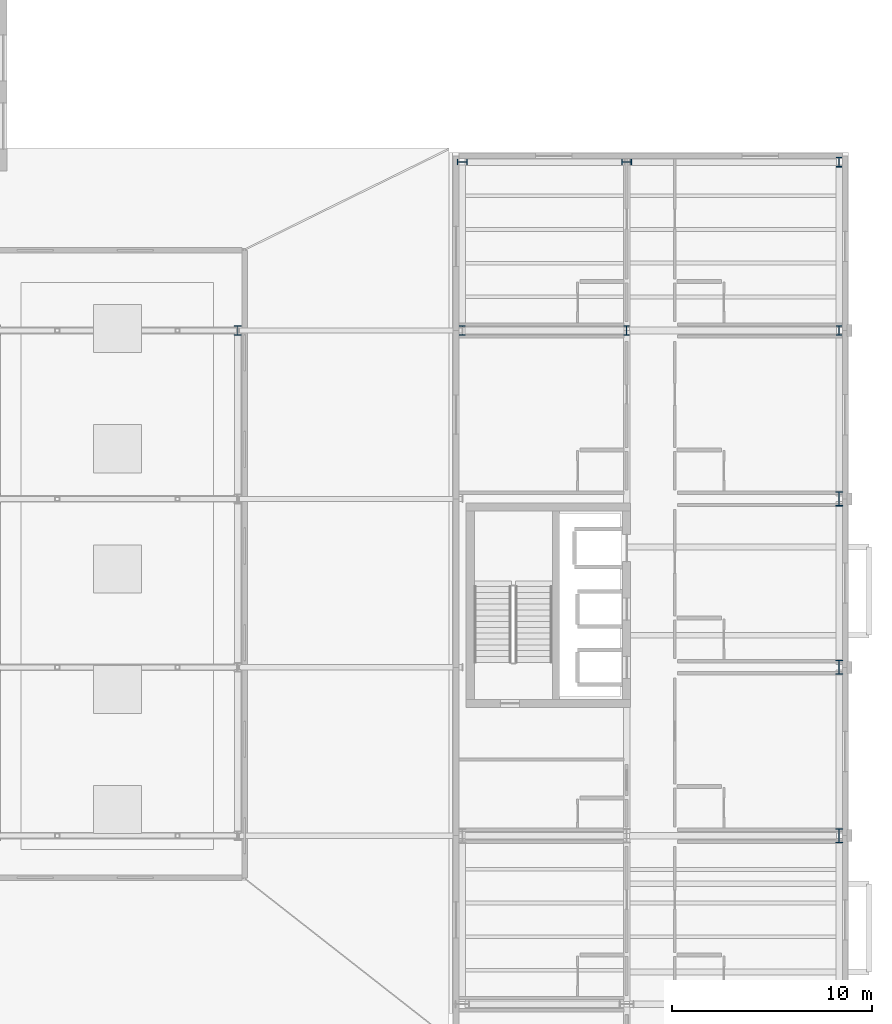
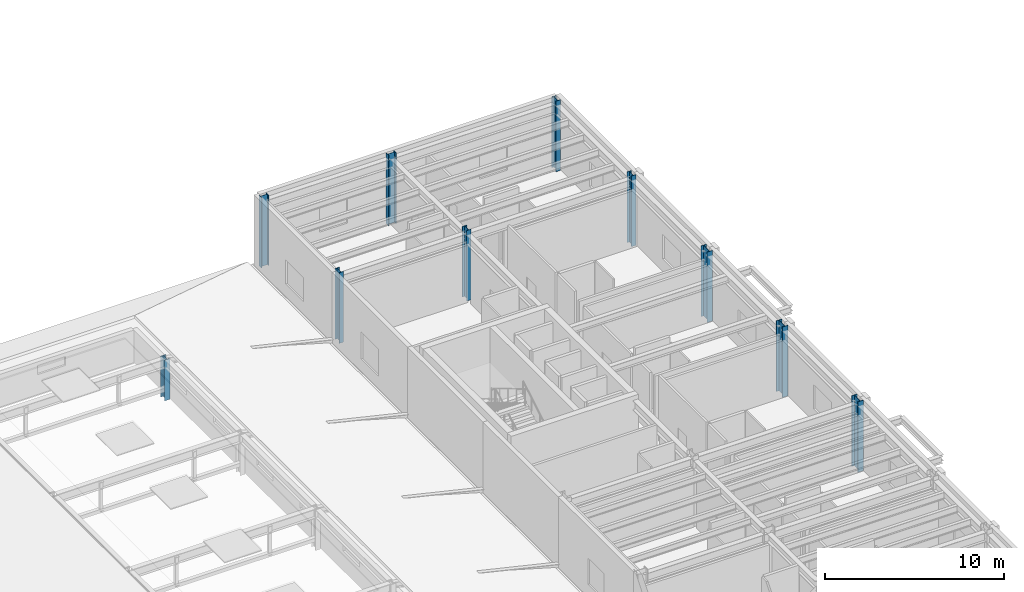
# One storey, part 15 of 91: 10 columns.
"""IFC4 building model written with IfcOpenShell, lengths in metres."""

from ifc_helpers import new_model, si_unit, direction, frame, origin, origin_2d, place, context, subcontext, project, spatial, i_section, extrude, material, material_profile, profile_set, type_object, element, save


model = new_model("IFC4")

# Units and contexts
model_context = context("Model", 3, precision=1e-05, world=origin(), true_north=direction((0.0, 1.0)))
body_context = subcontext(model_context, "Body", "Model", "MODEL_VIEW")
ifc_project = project(units=[si_unit("LENGTHUNIT", "METRE"), si_unit("AREAUNIT", "SQUARE_METRE"), si_unit("VOLUMEUNIT", "CUBIC_METRE"), si_unit("PLANEANGLEUNIT", "RADIAN"), si_unit("MASSUNIT", "GRAM", prefix="KILO")], contexts=[model_context])

# Site, building, storey
site_placement = place(None, origin())
site = spatial("IfcSite", under=ifc_project, at=site_placement, CompositionType="ELEMENT")
building_placement = place(site_placement, origin())
building = spatial("IfcBuilding", under=site, at=building_placement, Name="Sollismere Congress Hotel", CompositionType="ELEMENT")
storey_placement = place(building_placement, frame((0.0, 0.0, 10.800048828125)))
storey = spatial("IfcBuildingStorey", under=building, at=storey_placement, Name="L02", CompositionType="ELEMENT", Elevation=10.800048828125)

# Columns
ifc_material = material(Name="Steel ASTM A992 Grade 50", Category="steel")
ifc_material_profile_1 = material_profile(ifc_material, i_section(OverallWidth=0.330078125, OverallDepth=0.4599609375, WebThickness=0.016357421875, FlangeThickness=0.026123046875, at=origin_2d()), Name="W14X132")
ifc_profile_set_1 = profile_set([ifc_material_profile_1], Name="Steel ASTM A992 Grade 50")
column_type_1 = type_object("IfcColumnType", Name="COL-W14H", PredefinedType="COLUMN", material=ifc_profile_set_1)
column_placement = place(storey_placement, frame((136.0, 58.39990234375, 0.0), z_axis=(0.0, 0.0, 1.0), x_axis=(1.0, 0.0, 0.0)))
element("IfcColumn", 1, at=column_placement, inside=storey, type_object=column_type_1, Name="Column CL-L02-771", PredefinedType="COLUMN", context=body_context, shape_type="SweptSolid", body=[
    extrude(i_section(OverallWidth=0.330078125, OverallDepth=0.4599609375, WebThickness=0.016357421875, FlangeThickness=0.026123046875, at=origin_2d()), origin(), (0.0, 0.0, 1.0), 2.780029296875),
])
ifc_material_profile_2 = material_profile(ifc_material, i_section(OverallWidth=0.283935546875, OverallDepth=0.4951171875, WebThickness=0.0185546875, FlangeThickness=0.033447265625, at=origin_2d()), Name="W18X143")
ifc_profile_set_2 = profile_set([ifc_material_profile_2], Name="Steel ASTM A992 Grade 50")
column_type_2 = type_object("IfcColumnType", Name="COL-W18", PredefinedType="COLUMN", material=ifc_profile_set_2)
for number, where, z_axis, x_axis, name in (
    (2, (147.199951171875, 58.39990234375, 0.0), (0.0, 0.0, 1.0), (1.0, 0.0, 0.0), "Column CL-L02-835"),
    (3, (147.199951171875, 66.800048828125, 0.0), (0.0, 0.0, 1.0), (0.0, 1.0, 0.0), "Column CL-L02-844"),
    (4, (155.39990234375, 58.39990234375, 0.0), (0.0, 0.0, 1.0), (1.0, 0.0, 0.0), "Column CL-L02-923"),
    (5, (155.39990234375, 66.800048828125, 0.0), (0.0, 0.0, 1.0), (0.0, 1.0, 0.0), "Column CL-L02-932"),
    (6, (166.0, 58.39990234375, 0.0), (0.0, 0.0, 1.0), (1.0, 0.0, 0.0), "Column CL-L02-1037"),
    (7, (166.0, 66.800048828125, 0.0), (0.0, 0.0, 1.0), (1.0, 0.0, 0.0), "Column CL-L02-1046"),
):
    element("IfcColumn", number, at=place(storey_placement, frame(where, z_axis=z_axis, x_axis=x_axis)), inside=storey, type_object=column_type_2, Name=name, PredefinedType="COLUMN", context=body_context, shape_type="SweptSolid", body=[
        extrude(i_section(OverallWidth=0.283935546875, OverallDepth=0.4951171875, WebThickness=0.0185546875, FlangeThickness=0.033447265625, at=origin_2d()), origin(), (0.0, 0.0, 1.0), 4.800048828125),
    ])
ifc_material_profile_3 = material_profile(ifc_material, i_section(OverallWidth=0.35595703125, OverallDepth=0.714111328125, WebThickness=0.01904296875, FlangeThickness=0.033935546875, at=origin_2d()), Name="W27X194")
ifc_profile_set_3 = profile_set([ifc_material_profile_3], Name="Steel ASTM A992 Grade 50")
column_type_3 = type_object("IfcColumnType", Name="COL-W27", PredefinedType="COLUMN", material=ifc_profile_set_3)
for number, where, z_axis, x_axis, name in (
    (8, (166.0, 33.199951171875, 0.0), (0.0, 0.0, 1.0), (1.0, 0.0, 0.0), "Column CL-L02-998"),
    (9, (166.0, 41.60009765625, 0.0), (0.0, 0.0, 1.0), (1.0, 0.0, 0.0), "Column CL-L02-1011"),
    (10, (166.0, 50.0, 0.0), (0.0, 0.0, 1.0), (1.0, 0.0, 0.0), "Column CL-L02-1024"),
):
    element("IfcColumn", number, at=place(storey_placement, frame(where, z_axis=z_axis, x_axis=x_axis)), inside=storey, type_object=column_type_3, Name=name, PredefinedType="COLUMN", context=body_context, shape_type="SweptSolid", body=[
        extrude(i_section(OverallWidth=0.35595703125, OverallDepth=0.714111328125, WebThickness=0.01904296875, FlangeThickness=0.033935546875, at=origin_2d()), origin(), (0.0, 0.0, 1.0), 4.800048828125),
    ])

save(model, "model.ifc")
